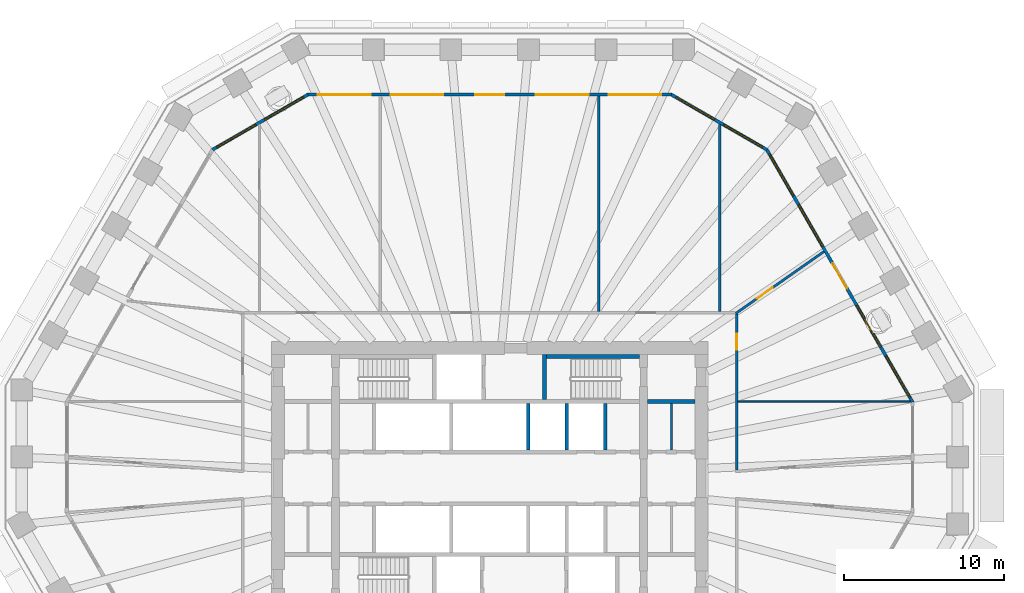
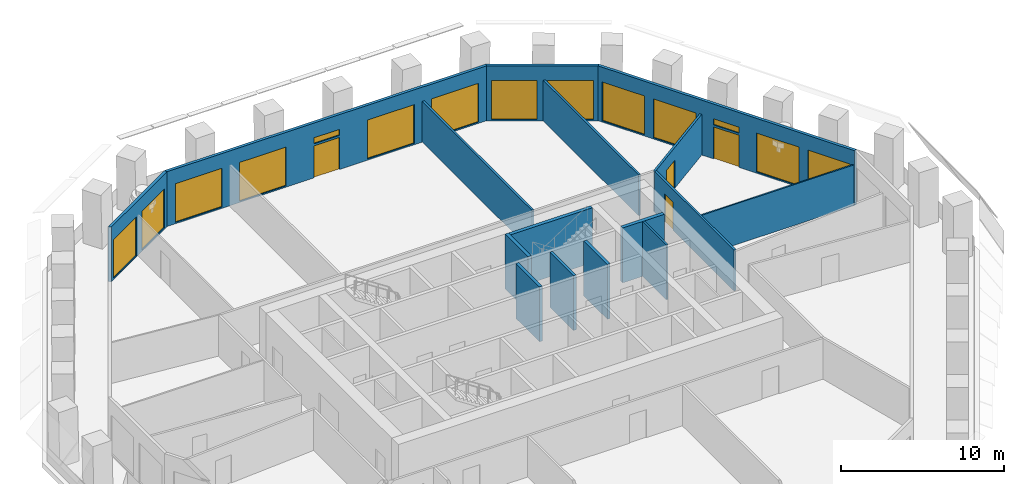
# One storey, part 7 of 12: 16 walls, 14 windows, 4 doors, 18 openings.
"""IFC4 building model written with IfcOpenShell, lengths in metres."""

from ifc_helpers import new_model, si_unit, direction, frame, frame_2d, origin, place, context, subcontext, project, spatial, polyline, rectangle, outline, extrude, material, layer, layer_set, type_object, element, fill, save


model = new_model("IFC4")

# Units and contexts
model_context = context("Model", 3, precision=1e-05, world=origin(), true_north=direction((0.0, 1.0)))
body_context = subcontext(model_context, "Body", "Model", "MODEL_VIEW")
ifc_project = project(units=[si_unit("LENGTHUNIT", "METRE"), si_unit("AREAUNIT", "SQUARE_METRE"), si_unit("VOLUMEUNIT", "CUBIC_METRE"), si_unit("PLANEANGLEUNIT", "RADIAN"), si_unit("MASSUNIT", "GRAM", prefix="KILO")], contexts=[model_context])

# Site, building, storey
site_placement = place(None, origin())
site = spatial("IfcSite", under=ifc_project, at=site_placement, CompositionType="ELEMENT")
building_placement = place(site_placement, origin())
building = spatial("IfcBuilding", under=site, at=building_placement, Name="Frailejon Research Tower", CompositionType="ELEMENT")
storey_placement = place(building_placement, frame((0.0, 0.0, 122.0)))
storey = spatial("IfcBuildingStorey", under=building, at=storey_placement, Name="L26", CompositionType="ELEMENT", Elevation=122.0)

# Wall
ifc_material_1 = material(Name="Plasterboard on steel studs", Category="steel")
ifc_layer_1 = layer(ifc_material_1, 0.125)
ifc_layer_set_1 = layer_set([ifc_layer_1], Name="Core partition 125")
wall_type_1 = type_object("IfcWallType", Name="Core partition 125", PredefinedType="PARTITIONING", material=ifc_layer_set_1)
wall_1_placement = place(storey_placement, frame((11.324951171875, 1.75, 0.0), z_axis=(0.0, 0.0, 1.0), x_axis=(0.0, 1.0, 0.0)))
element("IfcWall", 1, at=wall_1_placement, inside=storey, type_object=wall_type_1, Name="Core partition", PredefinedType="PARTITIONING", context=body_context, shape_type="SweptSolid", body=[
    extrude(rectangle(XDim=2.89990234375, YDim=0.125, at=frame_2d((1.449951171875, 0.0))), origin(), (0.0, 0.0, 1.0), 4.10009765625),
])

# Wall, opening, door
ifc_material_2 = material(Name="Gypsum board and masonry partition", Category="masonry")
ifc_layer_2 = layer(ifc_material_2, 0.14990234375)
ifc_layer_set_2 = layer_set([ifc_layer_2], Name="Corridor wall EI 60, gypsum on steel studs 150")
wall_type_2 = type_object("IfcWallType", Name="Corridor wall EI 60, gypsum on steel studs 150", PredefinedType="PARTITIONING", material=ifc_layer_set_2)
wall_2_placement = place(storey_placement, frame((15.39990234375, 0.48779296875, 0.0), z_axis=(0.0, 0.0, 1.0), x_axis=(0.0, 1.0, 0.0)))
wall_2 = element("IfcWall", 2, at=wall_2_placement, inside=storey, type_object=wall_type_2, Name="T:IW:L26:002", PredefinedType="PARTITIONING", context=body_context, shape_type="SweptSolid", body=[
    extrude(rectangle(XDim=9.7373046875, YDim=0.14990234375, at=frame_2d((4.86865234375, 0.0))), origin(), (0.0, 0.0, 1.0), 3.050048828125),
])
opening_1_placement = place(wall_2_placement, frame((7.501953125, 0.0, 0.0)))
opening_1 = element("IfcOpeningElement", 3, at=opening_1_placement, cuts=wall_2, Name="Opening D1632", PredefinedType="OPENING", context=body_context, shape_type="SweptSolid", body=[
    extrude(rectangle(XDim=1.0, YDim=2.10009765625, at=frame_2d((0.5, 1.050048828125))), frame((0.0, 0.0849609375, 0.0), z_axis=(0.0, -1.0, 0.0), x_axis=(1.0, 0.0, 0.0)), (0.0, 0.0, 1.0), 0.169921875),
])
ifc_material_3 = material(Name="Timber door leaf", Category="wood")
door_type_1 = type_object("IfcDoorType", Name="Door single leaf, timber, steel frame 1000", OperationType="NOTDEFINED", PredefinedType="DOOR", material=ifc_material_3)
door_1_placement = place(opening_1_placement, origin())
door_1 = element("IfcDoor", 4, at=door_1_placement, inside=storey, type_object=door_type_1, Name="D1632", OperationType="SINGLE_SWING_LEFT", OverallHeight=2.10009765625, OverallWidth=1.0, PredefinedType="DOOR", context=body_context, shape_type="SweptSolid", body=[
    extrude(rectangle(XDim=1.0, YDim=2.10009765625, at=frame_2d((0.5, 1.050048828125))), frame((0.0, 0.02490234375, 0.0), z_axis=(0.0, -1.0, 0.0), x_axis=(1.0, 0.0, 0.0)), (0.0, 0.0, 1.0), 0.050048828125),
])
fill(opening_1, door_1)

ifc_material_4 = material(Name="Gypsum board and masonry partition", Category="masonry")
ifc_layer_3 = layer(ifc_material_4, 0.14990234375)
ifc_layer_set_3 = layer_set([ifc_layer_3], Name="Laboratory partition, blockwork 150")
wall_type_3 = type_object("IfcWallType", Name="Laboratory partition, blockwork 150", PredefinedType="PARTITIONING", material=ifc_layer_set_3)
wall_3_placement = place(storey_placement, frame((15.338623046875, 10.2568359375, 0.0), z_axis=(0.0, 0.0, 1.0), x_axis=(0.818636534617, 0.574311957207, 0.0)))
wall_3 = element("IfcWall", 5, at=wall_3_placement, inside=storey, type_object=wall_type_3, Name="T:IW:L26:011", PredefinedType="PARTITIONING", context=body_context, shape_type="SweptSolid", body=[
    extrude(rectangle(XDim=6.708984375, YDim=0.14990234375, at=frame_2d((3.3544921875, 0.0))), origin(), (0.0, 0.0, 1.0), 3.050048828125),
])
opening_2_placement = place(wall_3_placement, frame((1.6083984375, 0.0, 0.0)))
opening_2 = element("IfcOpeningElement", 6, at=opening_2_placement, cuts=wall_3, Name="Opening D1633", PredefinedType="OPENING", context=body_context, shape_type="SweptSolid", body=[
    extrude(rectangle(XDim=1.199951171875, YDim=2.10009765625, at=frame_2d((0.60009765625, 1.050048828125))), frame((0.0, 0.0849609375, 0.0), z_axis=(0.0, -1.0, 0.0), x_axis=(1.0, 0.0, 0.0)), (0.0, 0.0, 1.0), 0.169921875),
])
ifc_material_5 = material(Name="Timber door leaf", Category="wood")
door_type_2 = type_object("IfcDoorType", Name="Door laboratory, timber, vision panel 1200", OperationType="NOTDEFINED", PredefinedType="DOOR", material=ifc_material_5)
door_2_placement = place(opening_2_placement, origin())
door_2 = element("IfcDoor", 7, at=door_2_placement, inside=storey, type_object=door_type_2, Name="D1633", OperationType="DOUBLE_DOOR_SINGLE_SWING", OverallHeight=2.10009765625, OverallWidth=1.199951171875, PredefinedType="DOOR", context=body_context, shape_type="SweptSolid", body=[
    extrude(rectangle(XDim=1.199951171875, YDim=2.10009765625, at=frame_2d((0.60009765625, 1.050048828125))), frame((0.0, 0.02490234375, 0.0), z_axis=(0.0, -1.0, 0.0), x_axis=(1.0, 0.0, 0.0)), (0.0, 0.0, 1.0), 0.050048828125),
])
fill(opening_2, door_2)

# Walls
wall_4_placement = place(storey_placement, frame((14.3515625, 10.375, 0.0), z_axis=(0.0, 0.0, 1.0), x_axis=(0.0, 1.0, 0.0)))
element("IfcWall", 8, at=wall_4_placement, inside=storey, type_object=wall_type_3, Name="T:IW:L26:012", PredefinedType="PARTITIONING", context=body_context, shape_type="SweptSolid", body=[
    extrude(rectangle(XDim=11.662109375, YDim=0.14990234375, at=frame_2d((5.8310546875, 0.0))), origin(), (0.0, 0.0, 1.0), 3.050048828125),
])
wall_5_placement = place(storey_placement, frame((6.810791015625, 10.375, 0.0), z_axis=(0.0, 0.0, 1.0), x_axis=(0.0, 1.0, 0.0)))
element("IfcWall", 9, at=wall_5_placement, inside=storey, type_object=wall_type_3, Name="T:IW:L26:013", PredefinedType="PARTITIONING", context=body_context, shape_type="SweptSolid", body=[
    extrude(rectangle(XDim=13.425048828125, YDim=0.14990234375, at=frame_2d((6.71240234375, 0.0))), origin(), (0.0, 0.0, 1.0), 3.050048828125),
])
ifc_material_6 = material(Name="Gypsum board and masonry partition", Category="masonry")
ifc_layer_4 = layer(ifc_material_6, 0.10009765625)
ifc_layer_set_4 = layer_set([ifc_layer_4], Name="Partition, gypsum on steel studs 100")
wall_type_4 = type_object("IfcWallType", Name="Partition, gypsum on steel studs 100", PredefinedType="PARTITIONING", material=ifc_layer_set_4)
wall_6_placement = place(storey_placement, frame((15.47509765625, 4.7587890625, 0.0), z_axis=(0.0, 0.0, 1.0), x_axis=(1.0, 0.0, 0.0)))
element("IfcWall", 10, at=wall_6_placement, inside=storey, type_object=wall_type_4, Name="T:IW:L26:021", PredefinedType="PARTITIONING", context=body_context, shape_type="SweptSolid", body=[
    extrude(rectangle(XDim=10.75439453125, YDim=0.10009765625, at=frame_2d((5.377197265625, 0.0))), origin(), (0.0, 0.0, 1.0), 3.050048828125),
])
ifc_material_7 = material(Name="Concrete C70/85", Category="concrete")
ifc_layer_5 = layer(ifc_material_7, 0.199951171875)
ifc_layer_set_5 = layer_set([ifc_layer_5], Name="Shaft wall 200 C70/85")
wall_type_5 = type_object("IfcWallType", Name="Shaft wall 200 C70/85", PredefinedType="SOLIDWALL", material=ifc_layer_set_5)
for number, where, z_axis, x_axis, name in (
    (11, (2.39990234375, 1.75, 0.0), (0.0, 0.0, 1.0), (0.0, 1.0, 0.0), "Shaft wall"),
    (12, (4.800048828125, 1.75, 0.0), (0.0, 0.0, 1.0), (0.0, 1.0, 0.0), "Shaft wall"),
    (13, (7.199951171875, 1.75, 0.0), (0.0, 0.0, 1.0), (0.0, 1.0, 0.0), "Shaft wall"),
):
    element("IfcWall", number, at=place(storey_placement, frame(where, z_axis=z_axis, x_axis=x_axis)), inside=storey, type_object=wall_type_5, Name=name, PredefinedType="SOLIDWALL", context=body_context, shape_type="SweptSolid", body=[
        extrude(rectangle(XDim=2.89990234375, YDim=0.199951171875, at=frame_2d((1.449951171875, 0.0))), origin(), (0.0, 0.0, 1.0), 4.10009765625),
    ])
ifc_material_8 = material(Name="Concrete C70/85", Category="concrete")
ifc_layer_6 = layer(ifc_material_8, 0.25)
ifc_layer_set_6 = layer_set([ifc_layer_6], Name="Shaft wall 250 C70/85")
wall_type_6 = type_object("IfcWallType", Name="Shaft wall 250 C70/85", PredefinedType="SOLIDWALL", material=ifc_layer_set_6)
wall_7_placement = place(storey_placement, frame((9.85009765625, 4.77490234375, 0.0), z_axis=(0.0, 0.0, 1.0), x_axis=(1.0, 0.0, 0.0)))
element("IfcWall", 14, at=wall_7_placement, inside=storey, type_object=wall_type_6, Name="Shaft wall", PredefinedType="SOLIDWALL", context=body_context, shape_type="SweptSolid", body=[
    extrude(rectangle(XDim=2.949951171875, YDim=0.25, at=frame_2d((1.47509765625, 0.0))), origin(), (0.0, 0.0, 1.0), 4.10009765625),
])
wall_8_placement = place(storey_placement, frame((3.550048828125, 7.574951171875, 0.0), z_axis=(0.0, 0.0, 1.0), x_axis=(1.0, 0.0, 0.0)))
element("IfcWall", 15, at=wall_8_placement, inside=storey, type_object=wall_type_6, Name="Shaft wall", PredefinedType="SOLIDWALL", context=body_context, shape_type="SweptSolid", body=[
    extrude(rectangle(XDim=5.800048828125, YDim=0.25, at=frame_2d((2.89990234375, 0.0))), origin(), (0.0, 0.0, 1.0), 4.10009765625),
])
wall_9_placement = place(storey_placement, frame((3.425048828125, 4.89990234375, 0.0), z_axis=(0.0, 0.0, 1.0), x_axis=(0.0, 1.0, 0.0)))
element("IfcWall", 16, at=wall_9_placement, inside=storey, type_object=wall_type_6, Name="Shaft wall", PredefinedType="SOLIDWALL", context=body_context, shape_type="SweptSolid", body=[
    extrude(rectangle(XDim=2.800048828125, YDim=0.25, at=frame_2d((1.39990234375, 0.0))), origin(), (0.0, 0.0, 1.0), 4.10009765625),
])

# Wall, openings, door, windows
ifc_material_9 = material(Name="Concrete C40/50 precast window wall panel", Category="concrete")
ifc_layer_7 = layer(ifc_material_9, 0.199951171875)
ifc_layer_set_7 = layer_set([ifc_layer_7], Name="Window wall 200")
wall_type_7 = type_object("IfcWallType", Name="Window wall 200", PredefinedType="SOLIDWALL", material=ifc_layer_set_7)
wall_10_placement = place(storey_placement, frame((26.3603515625, 4.732177734375, 0.0), z_axis=(0.0, 0.0, 1.0), x_axis=(-0.500001688065, 0.866024429177, 0.0)))
wall_10 = element("IfcWall", 17, at=wall_10_placement, inside=storey, type_object=wall_type_7, Name="Exterior wall L26", PredefinedType="SOLIDWALL", context=body_context, shape_type="SweptSolid", body=[
    extrude(outline(polyline([(-0.02685546875, -0.10009765625), (0.9853515625, -0.10009765625), (1.997314453125, -0.10009765625), (3.009521484375, -0.10009765625), (4.021484375, -0.10009765625), (5.03369140625, -0.10009765625), (6.045654296875, -0.10009765625), (7.057861328125, -0.10009765625), (8.06982421875, -0.10009765625), (9.08203125, -0.10009765625), (10.09423828125, -0.10009765625), (11.106201171875, -0.10009765625), (12.118408203125, -0.10009765625), (13.13037109375, -0.10009765625), (14.142578125, -0.10009765625), (15.154541015625, -0.10009765625), (16.166748046875, -0.10009765625), (17.1787109375, -0.10009765625), (18.19091796875, -0.10009765625), (18.13720703125, 0.10009765625), (17.131103515625, 0.10009765625), (16.125, 0.10009765625), (15.118896484375, 0.10009765625), (14.11279296875, 0.10009765625), (13.1064453125, 0.10009765625), (12.100341796875, 0.10009765625), (11.09423828125, 0.10009765625), (10.088134765625, 0.10009765625), (9.08203125, 0.10009765625), (8.075927734375, 0.10009765625), (7.06982421875, 0.10009765625), (6.063720703125, 0.10009765625), (5.0576171875, 0.10009765625), (4.05126953125, 0.10009765625), (3.045166015625, 0.10009765625), (2.0390625, 0.10009765625), (1.032958984375, 0.10009765625), (0.02685546875, 0.10009765625), (-0.02685546875, -0.10009765625)])), origin(), (0.0, 0.0, 1.0), 4.10009765625),
])
opening_3_placement = place(wall_10_placement, frame((0.31640625, 0.0, 0.10009765625)))
opening_3 = element("IfcOpeningElement", 18, at=opening_3_placement, cuts=wall_10, Name="Opening W4", PredefinedType="OPENING", context=body_context, shape_type="SweptSolid", body=[
    extrude(rectangle(XDim=3.0, YDim=2.89990234375, at=frame_2d((1.5, 1.449951171875))), frame((0.0, 0.10986328125, 0.0), z_axis=(0.0, -1.0, 0.0), x_axis=(1.0, 0.0, 0.0)), (0.0, 0.0, 1.0), 0.219970703125),
])
opening_4_placement = place(wall_10_placement, frame((3.94921875, 0.0, 0.10009765625)))
opening_4 = element("IfcOpeningElement", 19, at=opening_4_placement, cuts=wall_10, Name="Opening W4", PredefinedType="OPENING", context=body_context, shape_type="SweptSolid", body=[
    extrude(rectangle(XDim=3.0, YDim=2.89990234375, at=frame_2d((1.5, 1.449951171875))), frame((0.0, 0.10986328125, 0.0), z_axis=(0.0, -1.0, 0.0), x_axis=(1.0, 0.0, 0.0)), (0.0, 0.0, 1.0), 0.219970703125),
])
opening_5_placement = place(wall_10_placement, frame((8.18212890625, 0.0, 0.0)))
opening_5 = element("IfcOpeningElement", 20, at=opening_5_placement, cuts=wall_10, Name="Opening LG26-1", PredefinedType="OPENING", context=body_context, shape_type="SweptSolid", body=[
    extrude(rectangle(XDim=1.800048828125, YDim=2.39990234375, at=frame_2d((0.89990234375, 1.199951171875))), frame((0.0, 0.10986328125, 0.0), z_axis=(0.0, -1.0, 0.0), x_axis=(1.0, 0.0, 0.0)), (0.0, 0.0, 1.0), 0.219970703125),
])
opening_6_placement = place(wall_10_placement, frame((8.18212890625, 0.0, 2.550048828125)))
opening_6 = element("IfcOpeningElement", 21, at=opening_6_placement, cuts=wall_10, Name="Opening W1", PredefinedType="OPENING", context=body_context, shape_type="SweptSolid", body=[
    extrude(rectangle(XDim=1.800048828125, YDim=0.449951171875, at=frame_2d((0.89990234375, 0.22509765625))), frame((0.0, 0.10986328125, 0.0), z_axis=(0.0, -1.0, 0.0), x_axis=(1.0, 0.0, 0.0)), (0.0, 0.0, 1.0), 0.219970703125),
])
opening_7_placement = place(wall_10_placement, frame((11.21484375, 0.0, 0.10009765625)))
opening_7 = element("IfcOpeningElement", 22, at=opening_7_placement, cuts=wall_10, Name="Opening W4", PredefinedType="OPENING", context=body_context, shape_type="SweptSolid", body=[
    extrude(rectangle(XDim=3.0, YDim=2.89990234375, at=frame_2d((1.5, 1.449951171875))), frame((0.0, 0.10986328125, 0.0), z_axis=(0.0, -1.0, 0.0), x_axis=(1.0, 0.0, 0.0)), (0.0, 0.0, 1.0), 0.219970703125),
])
opening_8_placement = place(wall_10_placement, frame((14.84765625, 0.0, 0.10009765625)))
opening_8 = element("IfcOpeningElement", 23, at=opening_8_placement, cuts=wall_10, Name="Opening W4", PredefinedType="OPENING", context=body_context, shape_type="SweptSolid", body=[
    extrude(rectangle(XDim=3.0, YDim=2.89990234375, at=frame_2d((1.5, 1.449951171875))), frame((0.0, 0.10986328125, 0.0), z_axis=(0.0, -1.0, 0.0), x_axis=(1.0, 0.0, 0.0)), (0.0, 0.0, 1.0), 0.219970703125),
])
ifc_material_10 = material(Name="Aluminium framed glazed door leaf", Category="aluminium")
door_type_3 = type_object("IfcDoorType", Name="Loggia door 1800x2400", OperationType="DOUBLE_DOOR_SINGLE_SWING", PredefinedType="DOOR", material=ifc_material_10)
door_3_placement = place(opening_5_placement, origin())
door_3 = element("IfcDoor", 24, at=door_3_placement, inside=storey, type_object=door_type_3, Name="Door LG26-1", OperationType="DOUBLE_DOOR_SINGLE_SWING", OverallHeight=2.39990234375, OverallWidth=1.800048828125, PredefinedType="DOOR", context=body_context, shape_type="SweptSolid", body=[
    extrude(rectangle(XDim=1.800048828125, YDim=2.39990234375, at=frame_2d((0.89990234375, 1.199951171875))), frame((0.0, 0.02490234375, 0.0), z_axis=(0.0, -1.0, 0.0), x_axis=(1.0, 0.0, 0.0)), (0.0, 0.0, 1.0), 0.050048828125),
])
fill(opening_5, door_3)
ifc_material_11 = material(Name="Aluminium framed double glazing", Category="aluminium")
window_type_1 = type_object("IfcWindowType", Name="Window 1800x450", PartitioningType="SINGLE_PANEL", PredefinedType="WINDOW", material=ifc_material_11)
window_1_placement = place(opening_6_placement, origin())
window_1 = element("IfcWindow", 25, at=window_1_placement, inside=storey, type_object=window_type_1, Name="Window L26", OverallHeight=0.449951171875, OverallWidth=1.800048828125, PartitioningType="SINGLE_PANEL", PredefinedType="WINDOW", context=body_context, shape_type="SweptSolid", body=[
    extrude(rectangle(XDim=1.800048828125, YDim=0.449951171875, at=frame_2d((0.89990234375, 0.22509765625))), frame((0.0, 0.030029296875, 0.0), z_axis=(0.0, -1.0, 0.0), x_axis=(1.0, 0.0, 0.0)), (0.0, 0.0, 1.0), 0.06005859375),
])
fill(opening_6, window_1)
ifc_material_12 = material(Name="Aluminium framed double glazing", Category="aluminium")
window_type_2 = type_object("IfcWindowType", Name="Window 3000x2900", PartitioningType="SINGLE_PANEL", PredefinedType="WINDOW", material=ifc_material_12)
window_2_placement = place(opening_3_placement, origin())
window_2 = element("IfcWindow", 26, at=window_2_placement, inside=storey, type_object=window_type_2, Name="Window L26", OverallHeight=2.89990234375, OverallWidth=3.0, PartitioningType="SINGLE_PANEL", PredefinedType="WINDOW", context=body_context, shape_type="SweptSolid", body=[
    extrude(rectangle(XDim=3.0, YDim=2.89990234375, at=frame_2d((1.5, 1.449951171875))), frame((0.0, 0.030029296875, 0.0), z_axis=(0.0, -1.0, 0.0), x_axis=(1.0, 0.0, 0.0)), (0.0, 0.0, 1.0), 0.06005859375),
])
fill(opening_3, window_2)
window_3_placement = place(opening_4_placement, origin())
window_3 = element("IfcWindow", 27, at=window_3_placement, inside=storey, type_object=window_type_2, Name="Window L26", OverallHeight=2.89990234375, OverallWidth=3.0, PartitioningType="SINGLE_PANEL", PredefinedType="WINDOW", context=body_context, shape_type="SweptSolid", body=[
    extrude(rectangle(XDim=3.0, YDim=2.89990234375, at=frame_2d((1.5, 1.449951171875))), frame((0.0, 0.030029296875, 0.0), z_axis=(0.0, -1.0, 0.0), x_axis=(1.0, 0.0, 0.0)), (0.0, 0.0, 1.0), 0.06005859375),
])
fill(opening_4, window_3)
window_4_placement = place(opening_7_placement, origin())
window_4 = element("IfcWindow", 28, at=window_4_placement, inside=storey, type_object=window_type_2, Name="Window L26", OverallHeight=2.89990234375, OverallWidth=3.0, PartitioningType="SINGLE_PANEL", PredefinedType="WINDOW", context=body_context, shape_type="SweptSolid", body=[
    extrude(rectangle(XDim=3.0, YDim=2.89990234375, at=frame_2d((1.5, 1.449951171875))), frame((0.0, 0.030029296875, 0.0), z_axis=(0.0, -1.0, 0.0), x_axis=(1.0, 0.0, 0.0)), (0.0, 0.0, 1.0), 0.06005859375),
])
fill(opening_7, window_4)
window_5_placement = place(opening_8_placement, origin())
window_5 = element("IfcWindow", 29, at=window_5_placement, inside=storey, type_object=window_type_2, Name="Window L26", OverallHeight=2.89990234375, OverallWidth=3.0, PartitioningType="SINGLE_PANEL", PredefinedType="WINDOW", context=body_context, shape_type="SweptSolid", body=[
    extrude(rectangle(XDim=3.0, YDim=2.89990234375, at=frame_2d((1.5, 1.449951171875))), frame((0.0, 0.030029296875, 0.0), z_axis=(0.0, -1.0, 0.0), x_axis=(1.0, 0.0, 0.0)), (0.0, 0.0, 1.0), 0.06005859375),
])
fill(opening_8, window_5)

# Wall, openings, windows
wall_11_placement = place(storey_placement, frame((17.2783203125, 20.462646484375, 0.0), z_axis=(0.0, 0.0, 1.0), x_axis=(-0.866029458321, 0.49999297727, 0.0)))
wall_11 = element("IfcWall", 30, at=wall_11_placement, inside=storey, type_object=wall_type_7, Name="Exterior wall L26", PredefinedType="SOLIDWALL", context=body_context, shape_type="SweptSolid", body=[
    extrude(outline(polyline([(-0.02685546875, -0.10009765625), (1.1279296875, -0.10009765625), (2.282470703125, -0.10009765625), (3.437255859375, -0.10009765625), (4.592041015625, -0.10009765625), (5.74658203125, -0.10009765625), (6.9013671875, -0.10009765625), (6.84765625, 0.10009765625), (5.7109375, 0.10009765625), (4.573974609375, 0.10009765625), (3.437255859375, 0.10009765625), (2.300537109375, 0.10009765625), (1.16357421875, 0.10009765625), (0.02685546875, 0.10009765625), (-0.02685546875, -0.10009765625)])), origin(), (0.0, 0.0, 1.0), 4.10009765625),
])
opening_9_placement = place(wall_11_placement, frame((0.318603515625, 0.0, 0.10009765625)))
opening_9 = element("IfcOpeningElement", 31, at=opening_9_placement, cuts=wall_11, Name="Opening W3", PredefinedType="OPENING", context=body_context, shape_type="SweptSolid", body=[
    extrude(rectangle(XDim=2.800048828125, YDim=2.89990234375, at=frame_2d((1.39990234375, 1.449951171875))), frame((0.0, 0.10986328125, 0.0), z_axis=(0.0, -1.0, 0.0), x_axis=(1.0, 0.0, 0.0)), (0.0, 0.0, 1.0), 0.219970703125),
])
opening_10_placement = place(wall_11_placement, frame((3.756103515625, 0.0, 0.10009765625)))
opening_10 = element("IfcOpeningElement", 32, at=opening_10_placement, cuts=wall_11, Name="Opening W3", PredefinedType="OPENING", context=body_context, shape_type="SweptSolid", body=[
    extrude(rectangle(XDim=2.800048828125, YDim=2.89990234375, at=frame_2d((1.39990234375, 1.449951171875))), frame((0.0, 0.10986328125, 0.0), z_axis=(0.0, -1.0, 0.0), x_axis=(1.0, 0.0, 0.0)), (0.0, 0.0, 1.0), 0.219970703125),
])
ifc_material_13 = material(Name="Aluminium framed double glazing", Category="aluminium")
window_type_3 = type_object("IfcWindowType", Name="Window 2800x2900", PartitioningType="SINGLE_PANEL", PredefinedType="WINDOW", material=ifc_material_13)
window_6_placement = place(opening_9_placement, origin())
window_6 = element("IfcWindow", 33, at=window_6_placement, inside=storey, type_object=window_type_3, Name="Window L26", OverallHeight=2.89990234375, OverallWidth=2.800048828125, PartitioningType="SINGLE_PANEL", PredefinedType="WINDOW", context=body_context, shape_type="SweptSolid", body=[
    extrude(rectangle(XDim=2.800048828125, YDim=2.89990234375, at=frame_2d((1.39990234375, 1.449951171875))), frame((0.0, 0.030029296875, 0.0), z_axis=(0.0, -1.0, 0.0), x_axis=(1.0, 0.0, 0.0)), (0.0, 0.0, 1.0), 0.06005859375),
])
fill(opening_9, window_6)
window_7_placement = place(opening_10_placement, origin())
window_7 = element("IfcWindow", 34, at=window_7_placement, inside=storey, type_object=window_type_3, Name="Window L26", OverallHeight=2.89990234375, OverallWidth=2.800048828125, PartitioningType="SINGLE_PANEL", PredefinedType="WINDOW", context=body_context, shape_type="SweptSolid", body=[
    extrude(rectangle(XDim=2.800048828125, YDim=2.89990234375, at=frame_2d((1.39990234375, 1.449951171875))), frame((0.0, 0.030029296875, 0.0), z_axis=(0.0, -1.0, 0.0), x_axis=(1.0, 0.0, 0.0)), (0.0, 0.0, 1.0), 0.06005859375),
])
fill(opening_10, window_7)

# Wall, openings, door, windows
wall_12_placement = place(storey_placement, frame((11.32470703125, 23.89990234375, 0.0), z_axis=(0.0, 0.0, 1.0), x_axis=(-1.0, 0.0, 0.0)))
wall_12 = element("IfcWall", 35, at=wall_12_placement, inside=storey, type_object=wall_type_7, Name="Exterior wall L26", PredefinedType="SOLIDWALL", context=body_context, shape_type="SweptSolid", body=[
    extrude(outline(polyline([(-0.02685546875, -0.10009765625), (1.005126953125, -0.10009765625), (2.037109375, -0.10009765625), (3.069091796875, -0.10009765625), (4.10107421875, -0.10009765625), (5.133056640625, -0.10009765625), (6.164794921875, -0.10009765625), (7.19677734375, -0.10009765625), (8.228759765625, -0.10009765625), (9.2607421875, -0.10009765625), (10.292724609375, -0.10009765625), (11.32470703125, -0.10009765625), (12.356689453125, -0.10009765625), (13.388671875, -0.10009765625), (14.420654296875, -0.10009765625), (15.45263671875, -0.10009765625), (16.484619140625, -0.10009765625), (17.516357421875, -0.10009765625), (18.54833984375, -0.10009765625), (19.580322265625, -0.10009765625), (20.6123046875, -0.10009765625), (21.644287109375, -0.10009765625), (22.67626953125, -0.10009765625), (22.62255859375, 0.10009765625), (21.595458984375, 0.10009765625), (20.568359375, 0.10009765625), (19.541259765625, 0.10009765625), (18.51416015625, 0.10009765625), (17.487060546875, 0.10009765625), (16.460205078125, 0.10009765625), (15.43310546875, 0.10009765625), (14.406005859375, 0.10009765625), (13.37890625, 0.10009765625), (12.351806640625, 0.10009765625), (11.32470703125, 0.10009765625), (10.297607421875, 0.10009765625), (9.2705078125, 0.10009765625), (8.243408203125, 0.10009765625), (7.21630859375, 0.10009765625), (6.189208984375, 0.10009765625), (5.162353515625, 0.10009765625), (4.13525390625, 0.10009765625), (3.108154296875, 0.10009765625), (2.0810546875, 0.10009765625), (1.053955078125, 0.10009765625), (0.02685546875, 0.10009765625), (-0.02685546875, -0.10009765625)])), origin(), (0.0, 0.0, 1.0), 4.10009765625),
])
opening_11_placement = place(wall_12_placement, frame((0.614990234375, 0.0, 0.10009765625)))
opening_11 = element("IfcOpeningElement", 36, at=opening_11_placement, cuts=wall_12, Name="Opening W5", PredefinedType="OPENING", context=body_context, shape_type="SweptSolid", body=[
    extrude(rectangle(XDim=3.300048828125, YDim=2.89990234375, at=frame_2d((1.64990234375, 1.449951171875))), frame((0.0, 0.10986328125, 0.0), z_axis=(0.0, -1.0, 0.0), x_axis=(1.0, 0.0, 0.0)), (0.0, 0.0, 1.0), 0.219970703125),
])
opening_12_placement = place(wall_12_placement, frame((5.144775390625, 0.0, 0.10009765625)))
opening_12 = element("IfcOpeningElement", 37, at=opening_12_placement, cuts=wall_12, Name="Opening W5", PredefinedType="OPENING", context=body_context, shape_type="SweptSolid", body=[
    extrude(rectangle(XDim=3.300048828125, YDim=2.89990234375, at=frame_2d((1.64990234375, 1.449951171875))), frame((0.0, 0.10986328125, 0.0), z_axis=(0.0, -1.0, 0.0), x_axis=(1.0, 0.0, 0.0)), (0.0, 0.0, 1.0), 0.219970703125),
])
opening_13_placement = place(wall_12_placement, frame((10.4248046875, 0.0, 0.0)))
opening_13 = element("IfcOpeningElement", 38, at=opening_13_placement, cuts=wall_12, Name="Opening LG26-2", PredefinedType="OPENING", context=body_context, shape_type="SweptSolid", body=[
    extrude(rectangle(XDim=1.800048828125, YDim=2.39990234375, at=frame_2d((0.89990234375, 1.199951171875))), frame((0.0, 0.10986328125, 0.0), z_axis=(0.0, -1.0, 0.0), x_axis=(1.0, 0.0, 0.0)), (0.0, 0.0, 1.0), 0.219970703125),
])
opening_14_placement = place(wall_12_placement, frame((10.4248046875, 0.0, 2.550048828125)))
opening_14 = element("IfcOpeningElement", 39, at=opening_14_placement, cuts=wall_12, Name="Opening W1", PredefinedType="OPENING", context=body_context, shape_type="SweptSolid", body=[
    extrude(rectangle(XDim=1.800048828125, YDim=0.449951171875, at=frame_2d((0.89990234375, 0.22509765625))), frame((0.0, 0.10986328125, 0.0), z_axis=(0.0, -1.0, 0.0), x_axis=(1.0, 0.0, 0.0)), (0.0, 0.0, 1.0), 0.219970703125),
])
opening_15_placement = place(wall_12_placement, frame((14.20458984375, 0.0, 0.10009765625)))
opening_15 = element("IfcOpeningElement", 40, at=opening_15_placement, cuts=wall_12, Name="Opening W5", PredefinedType="OPENING", context=body_context, shape_type="SweptSolid", body=[
    extrude(rectangle(XDim=3.300048828125, YDim=2.89990234375, at=frame_2d((1.64990234375, 1.449951171875))), frame((0.0, 0.10986328125, 0.0), z_axis=(0.0, -1.0, 0.0), x_axis=(1.0, 0.0, 0.0)), (0.0, 0.0, 1.0), 0.219970703125),
])
opening_16_placement = place(wall_12_placement, frame((18.734375, 0.0, 0.10009765625)))
opening_16 = element("IfcOpeningElement", 41, at=opening_16_placement, cuts=wall_12, Name="Opening W5", PredefinedType="OPENING", context=body_context, shape_type="SweptSolid", body=[
    extrude(rectangle(XDim=3.300048828125, YDim=2.89990234375, at=frame_2d((1.64990234375, 1.449951171875))), frame((0.0, 0.10986328125, 0.0), z_axis=(0.0, -1.0, 0.0), x_axis=(1.0, 0.0, 0.0)), (0.0, 0.0, 1.0), 0.219970703125),
])
door_4_placement = place(opening_13_placement, origin())
door_4 = element("IfcDoor", 42, at=door_4_placement, inside=storey, type_object=door_type_3, Name="Door LG26-2", OperationType="DOUBLE_DOOR_SINGLE_SWING", OverallHeight=2.39990234375, OverallWidth=1.800048828125, PredefinedType="DOOR", context=body_context, shape_type="SweptSolid", body=[
    extrude(rectangle(XDim=1.800048828125, YDim=2.39990234375, at=frame_2d((0.89990234375, 1.199951171875))), frame((0.0, 0.02490234375, 0.0), z_axis=(0.0, -1.0, 0.0), x_axis=(1.0, 0.0, 0.0)), (0.0, 0.0, 1.0), 0.050048828125),
])
fill(opening_13, door_4)
window_8_placement = place(opening_14_placement, origin())
window_8 = element("IfcWindow", 43, at=window_8_placement, inside=storey, type_object=window_type_1, Name="Window L26", OverallHeight=0.449951171875, OverallWidth=1.800048828125, PartitioningType="SINGLE_PANEL", PredefinedType="WINDOW", context=body_context, shape_type="SweptSolid", body=[
    extrude(rectangle(XDim=1.800048828125, YDim=0.449951171875, at=frame_2d((0.89990234375, 0.22509765625))), frame((0.0, 0.030029296875, 0.0), z_axis=(0.0, -1.0, 0.0), x_axis=(1.0, 0.0, 0.0)), (0.0, 0.0, 1.0), 0.06005859375),
])
fill(opening_14, window_8)
ifc_material_14 = material(Name="Aluminium framed double glazing", Category="aluminium")
window_type_4 = type_object("IfcWindowType", Name="Window 3300x2900", PartitioningType="SINGLE_PANEL", PredefinedType="WINDOW", material=ifc_material_14)
window_9_placement = place(opening_11_placement, origin())
window_9 = element("IfcWindow", 44, at=window_9_placement, inside=storey, type_object=window_type_4, Name="Window L26", OverallHeight=2.89990234375, OverallWidth=3.300048828125, PartitioningType="SINGLE_PANEL", PredefinedType="WINDOW", context=body_context, shape_type="SweptSolid", body=[
    extrude(rectangle(XDim=3.300048828125, YDim=2.89990234375, at=frame_2d((1.64990234375, 1.449951171875))), frame((0.0, 0.030029296875, 0.0), z_axis=(0.0, -1.0, 0.0), x_axis=(1.0, 0.0, 0.0)), (0.0, 0.0, 1.0), 0.06005859375),
])
fill(opening_11, window_9)
window_10_placement = place(opening_12_placement, origin())
window_10 = element("IfcWindow", 45, at=window_10_placement, inside=storey, type_object=window_type_4, Name="Window L26", OverallHeight=2.89990234375, OverallWidth=3.300048828125, PartitioningType="SINGLE_PANEL", PredefinedType="WINDOW", context=body_context, shape_type="SweptSolid", body=[
    extrude(rectangle(XDim=3.300048828125, YDim=2.89990234375, at=frame_2d((1.64990234375, 1.449951171875))), frame((0.0, 0.030029296875, 0.0), z_axis=(0.0, -1.0, 0.0), x_axis=(1.0, 0.0, 0.0)), (0.0, 0.0, 1.0), 0.06005859375),
])
fill(opening_12, window_10)
window_11_placement = place(opening_15_placement, origin())
window_11 = element("IfcWindow", 46, at=window_11_placement, inside=storey, type_object=window_type_4, Name="Window L26", OverallHeight=2.89990234375, OverallWidth=3.300048828125, PartitioningType="SINGLE_PANEL", PredefinedType="WINDOW", context=body_context, shape_type="SweptSolid", body=[
    extrude(rectangle(XDim=3.300048828125, YDim=2.89990234375, at=frame_2d((1.64990234375, 1.449951171875))), frame((0.0, 0.030029296875, 0.0), z_axis=(0.0, -1.0, 0.0), x_axis=(1.0, 0.0, 0.0)), (0.0, 0.0, 1.0), 0.06005859375),
])
fill(opening_15, window_11)
window_12_placement = place(opening_16_placement, origin())
window_12 = element("IfcWindow", 47, at=window_12_placement, inside=storey, type_object=window_type_4, Name="Window L26", OverallHeight=2.89990234375, OverallWidth=3.300048828125, PartitioningType="SINGLE_PANEL", PredefinedType="WINDOW", context=body_context, shape_type="SweptSolid", body=[
    extrude(rectangle(XDim=3.300048828125, YDim=2.89990234375, at=frame_2d((1.64990234375, 1.449951171875))), frame((0.0, 0.030029296875, 0.0), z_axis=(0.0, -1.0, 0.0), x_axis=(1.0, 0.0, 0.0)), (0.0, 0.0, 1.0), 0.06005859375),
])
fill(opening_16, window_12)

# Wall, openings, windows
wall_13_placement = place(storey_placement, frame((-11.32470703125, 23.89990234375, 0.0), z_axis=(0.0, 0.0, 1.0), x_axis=(-0.866029458321, -0.49999297727, 0.0)))
wall_13 = element("IfcWall", 48, at=wall_13_placement, inside=storey, type_object=wall_type_7, Name="Exterior wall L26", PredefinedType="SOLIDWALL", context=body_context, shape_type="SweptSolid", body=[
    extrude(outline(polyline([(-0.02685546875, -0.10009765625), (1.1279296875, -0.10009765625), (2.282470703125, -0.10009765625), (3.437255859375, -0.10009765625), (4.592041015625, -0.10009765625), (5.74658203125, -0.10009765625), (6.9013671875, -0.10009765625), (6.84765625, 0.10009765625), (5.7109375, 0.10009765625), (4.573974609375, 0.10009765625), (3.437255859375, 0.10009765625), (2.300537109375, 0.10009765625), (1.16357421875, 0.10009765625), (0.02685546875, 0.10009765625), (-0.02685546875, -0.10009765625)])), origin(), (0.0, 0.0, 1.0), 4.10009765625),
])
opening_17_placement = place(wall_13_placement, frame((0.318603515625, 0.0, 0.10009765625)))
opening_17 = element("IfcOpeningElement", 49, at=opening_17_placement, cuts=wall_13, Name="Opening W3", PredefinedType="OPENING", context=body_context, shape_type="SweptSolid", body=[
    extrude(rectangle(XDim=2.800048828125, YDim=2.89990234375, at=frame_2d((1.39990234375, 1.449951171875))), frame((0.0, 0.10986328125, 0.0), z_axis=(0.0, -1.0, 0.0), x_axis=(1.0, 0.0, 0.0)), (0.0, 0.0, 1.0), 0.219970703125),
])
opening_18_placement = place(wall_13_placement, frame((3.756103515625, 0.0, 0.10009765625)))
opening_18 = element("IfcOpeningElement", 50, at=opening_18_placement, cuts=wall_13, Name="Opening W3", PredefinedType="OPENING", context=body_context, shape_type="SweptSolid", body=[
    extrude(rectangle(XDim=2.800048828125, YDim=2.89990234375, at=frame_2d((1.39990234375, 1.449951171875))), frame((0.0, 0.10986328125, 0.0), z_axis=(0.0, -1.0, 0.0), x_axis=(1.0, 0.0, 0.0)), (0.0, 0.0, 1.0), 0.219970703125),
])
window_13_placement = place(opening_17_placement, origin())
window_13 = element("IfcWindow", 51, at=window_13_placement, inside=storey, type_object=window_type_3, Name="Window L26", OverallHeight=2.89990234375, OverallWidth=2.800048828125, PartitioningType="SINGLE_PANEL", PredefinedType="WINDOW", context=body_context, shape_type="SweptSolid", body=[
    extrude(rectangle(XDim=2.800048828125, YDim=2.89990234375, at=frame_2d((1.39990234375, 1.449951171875))), frame((0.0, 0.030029296875, 0.0), z_axis=(0.0, -1.0, 0.0), x_axis=(1.0, 0.0, 0.0)), (0.0, 0.0, 1.0), 0.06005859375),
])
fill(opening_17, window_13)
window_14_placement = place(opening_18_placement, origin())
window_14 = element("IfcWindow", 52, at=window_14_placement, inside=storey, type_object=window_type_3, Name="Window L26", OverallHeight=2.89990234375, OverallWidth=2.800048828125, PartitioningType="SINGLE_PANEL", PredefinedType="WINDOW", context=body_context, shape_type="SweptSolid", body=[
    extrude(rectangle(XDim=2.800048828125, YDim=2.89990234375, at=frame_2d((1.39990234375, 1.449951171875))), frame((0.0, 0.030029296875, 0.0), z_axis=(0.0, -1.0, 0.0), x_axis=(1.0, 0.0, 0.0)), (0.0, 0.0, 1.0), 0.06005859375),
])
fill(opening_18, window_14)

save(model, "model.ifc")
